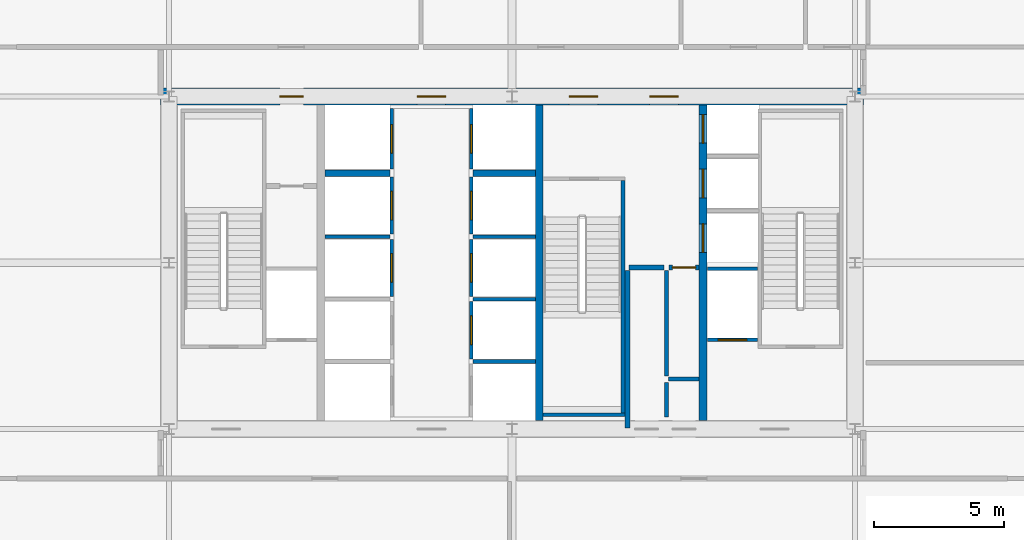
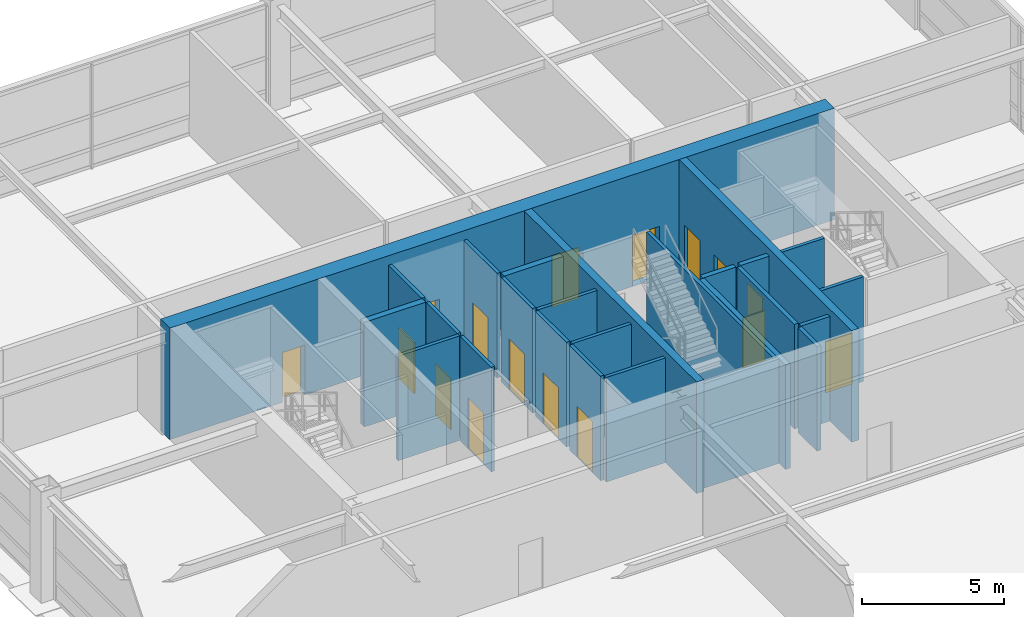
# One storey, part 31 of 34: 26 walls, 16 doors, 16 openings.
"""IFC4 building model written with IfcOpenShell, lengths in metres."""

from ifc_helpers import new_model, si_unit, direction, frame, frame_2d, origin, place, context, subcontext, project, spatial, rectangle, extrude, source, transform, mapped, material, layer, layer_set, type_object, element, fill, save


model = new_model("IFC4")

# Units and contexts
model_context = context("Model", 3, precision=1e-05, world=origin(), true_north=direction((0.0, 1.0)))
body_context = subcontext(model_context, "Body", "Model", "MODEL_VIEW")
ifc_project = project(units=[si_unit("LENGTHUNIT", "METRE"), si_unit("AREAUNIT", "SQUARE_METRE"), si_unit("VOLUMEUNIT", "CUBIC_METRE"), si_unit("PLANEANGLEUNIT", "RADIAN"), si_unit("MASSUNIT", "GRAM", prefix="KILO"), si_unit("THERMODYNAMICTEMPERATUREUNIT", "KELVIN"), si_unit("POWERUNIT", "WATT")], contexts=[model_context])

# Site, building, storey
site_placement = place(None, origin())
site = spatial("IfcSite", under=ifc_project, at=site_placement, CompositionType="ELEMENT")
building_placement = place(site_placement, origin())
building = spatial("IfcBuilding", under=site, at=building_placement, Name="Yuzanri Waterfront Tower", CompositionType="ELEMENT")
storey_placement = place(building_placement, frame((0.0, 0.0, 166.800048828125)))
storey = spatial("IfcBuildingStorey", under=building, at=storey_placement, Name="L44", CompositionType="ELEMENT", Elevation=166.800048828125)

# Wall, openings, doors
ifc_material_1 = material(Name="Concrete C50", Category="concrete")
ifc_layer_1 = layer(ifc_material_1, 0.300048828125)
ifc_layer_set_1 = layer_set([ifc_layer_1], Name="Concrete C50")
wall_type_1 = type_object("IfcWallType", Name="Concrete C50 Internal Core Shaft Structural Wall 300", PredefinedType="SOLIDWALL", material=ifc_layer_set_1)
wall_1_placement = place(storey_placement, frame((44.35009765625, 19.72509765625, 0.0), z_axis=(0.0, 0.0, 1.0), x_axis=(0.0, 1.0, 0.0)))
wall_1 = element("IfcWall", 1, at=wall_1_placement, inside=storey, type_object=wall_type_1, Name="L44 Core Internal Structural Web Wall 3", PredefinedType="SOLIDWALL", context=body_context, shape_type="SweptSolid", body=[
    extrude(rectangle(XDim=12.14990234375, YDim=0.300048828125, at=frame_2d((6.074951171875, 0.0))), origin(), (0.0, 0.0, 1.0), 4.800048828125),
])
opening_1_placement = place(wall_1_placement, frame((6.47509765625, 0.0, 0.0)))
opening_1 = element("IfcOpeningElement", 2, at=opening_1_placement, cuts=wall_1, Name="Opening LD-PL-09", PredefinedType="OPENING", context=body_context, shape_type="SweptSolid", body=[
    extrude(rectangle(XDim=1.10009765625, YDim=2.199951171875, at=frame_2d((0.550048828125, 1.10009765625))), frame((0.0, 0.1650390625, 0.0), z_axis=(0.0, -1.0, 0.0), x_axis=(1.0, 0.0, 0.0)), (0.0, 0.0, 1.0), 0.329833984375),
])
opening_2_placement = place(wall_1_placement, frame((8.574951171875, 0.0, 0.0)))
opening_2 = element("IfcOpeningElement", 3, at=opening_2_placement, cuts=wall_1, Name="Opening LD-PL-10", PredefinedType="OPENING", context=body_context, shape_type="SweptSolid", body=[
    extrude(rectangle(XDim=1.10009765625, YDim=2.199951171875, at=frame_2d((0.550048828125, 1.10009765625))), frame((0.0, 0.1650390625, 0.0), z_axis=(0.0, -1.0, 0.0), x_axis=(1.0, 0.0, 0.0)), (0.0, 0.0, 1.0), 0.329833984375),
])
opening_3_placement = place(wall_1_placement, frame((10.675048828125, 0.0, 0.0)))
opening_3 = element("IfcOpeningElement", 4, at=opening_3_placement, cuts=wall_1, Name="Opening LD-PL-11", PredefinedType="OPENING", context=body_context, shape_type="SweptSolid", body=[
    extrude(rectangle(XDim=1.10009765625, YDim=2.199951171875, at=frame_2d((0.550048828125, 1.10009765625))), frame((0.0, 0.1650390625, 0.0), z_axis=(0.0, -1.0, 0.0), x_axis=(1.0, 0.0, 0.0)), (0.0, 0.0, 1.0), 0.329833984375),
])
ifc_material_2 = material(Name="Brushed Bronze and Stainless Steel Cab", Category="steel")
door_type_1 = type_object("IfcDoorType", Name="Center-Parting Bronze Lift Landing Sliding Door 1100x2200", OperationType="NOTDEFINED", PredefinedType="DOOR", material=ifc_material_2)
shared_shape_1 = source(origin(), body_context, "Body", "SweptSolid", [
    extrude(rectangle(XDim=1.10009765625, YDim=2.199951171875, at=frame_2d((0.550048828125, 1.10009765625))), frame((0.0, 0.02490234375, 0.0), z_axis=(0.0, -1.0, 0.0), x_axis=(1.0, 0.0, 0.0)), (0.0, 0.0, 1.0), 0.050048828125),
])
door_1_placement = place(opening_1_placement, origin())
door_1 = element("IfcDoor", 5, at=door_1_placement, inside=storey, type_object=door_type_1, Name="L44 PL-09 Lift Landing Sliding Door", OperationType="SLIDING_TO_LEFT", OverallHeight=2.199951171875, OverallWidth=1.10009765625, PredefinedType="DOOR", context=body_context, shape_type="MappedRepresentation", body=[
    mapped(shared_shape_1, transform((0.0, 0.0, 0.0), scale=1.0)),
])
fill(opening_1, door_1)
door_2_placement = place(opening_2_placement, origin())
door_2 = element("IfcDoor", 6, at=door_2_placement, inside=storey, type_object=door_type_1, Name="L44 PL-10 Lift Landing Sliding Door", OperationType="SLIDING_TO_RIGHT", OverallHeight=2.199951171875, OverallWidth=1.10009765625, PredefinedType="DOOR", context=body_context, shape_type="MappedRepresentation", body=[
    mapped(shared_shape_1, transform((0.0, 0.0, 0.0), scale=1.0)),
])
fill(opening_2, door_2)
door_3_placement = place(opening_3_placement, origin())
door_3 = element("IfcDoor", 7, at=door_3_placement, inside=storey, type_object=door_type_1, Name="L44 PL-11 Lift Landing Sliding Door", OperationType="SLIDING_TO_LEFT", OverallHeight=2.199951171875, OverallWidth=1.10009765625, PredefinedType="DOOR", context=body_context, shape_type="MappedRepresentation", body=[
    mapped(shared_shape_1, transform((0.0, 0.0, 0.0), scale=1.0)),
])
fill(opening_3, door_3)

ifc_material_3 = material(Name="Concrete C50", Category="concrete")
ifc_layer_2 = layer(ifc_material_3, 0.64990234375)
ifc_layer_set_2 = layer_set([ifc_layer_2], Name="Concrete C50")
wall_type_2 = type_object("IfcWallType", Name="Concrete C50 Mid Zone Core Shear Wall 650", PredefinedType="SHEAR", material=ifc_layer_set_2)
wall_2_placement = place(storey_placement, frame((23.47509765625, 32.199951171875, 0.0), z_axis=(0.0, 0.0, 1.0), x_axis=(1.0, 0.0, 0.0)))
wall_2 = element("IfcWall", 8, at=wall_2_placement, inside=storey, type_object=wall_type_2, Name="L44 Core North Shear Wall", PredefinedType="SHEAR", context=body_context, shape_type="SweptSolid", body=[
    extrude(rectangle(XDim=27.0498046875, YDim=0.64990234375, at=frame_2d((13.52490234375, 0.0))), origin(), (0.0, 0.0, 1.0), 4.800048828125),
])
opening_4_placement = place(wall_2_placement, frame((4.594970703125, 0.0, 0.0)))
opening_4 = element("IfcOpeningElement", 9, at=opening_4_placement, cuts=wall_2, Name="Opening FD-0900", PredefinedType="OPENING", context=body_context, shape_type="SweptSolid", body=[
    extrude(rectangle(XDim=0.89990234375, YDim=2.14990234375, at=frame_2d((0.449951171875, 1.074951171875))), frame((0.0, 0.33984375, 0.0), z_axis=(0.0, -1.0, 0.0), x_axis=(1.0, 0.0, 0.0)), (0.0, 0.0, 1.0), 0.6796875),
])
opening_5_placement = place(wall_2_placement, frame((9.875, 0.0, 0.0)))
opening_5 = element("IfcOpeningElement", 10, at=opening_5_placement, cuts=wall_2, Name="Opening FD-1100", PredefinedType="OPENING", context=body_context, shape_type="SweptSolid", body=[
    extrude(rectangle(XDim=1.10009765625, YDim=2.199951171875, at=frame_2d((0.550048828125, 1.10009765625))), frame((0.0, 0.33984375, 0.0), z_axis=(0.0, -1.0, 0.0), x_axis=(1.0, 0.0, 0.0)), (0.0, 0.0, 1.0), 0.6796875),
])
opening_6_placement = place(wall_2_placement, frame((15.72509765625, 0.0, 0.0)))
opening_6 = element("IfcOpeningElement", 11, at=opening_6_placement, cuts=wall_2, Name="Opening FD-1100", PredefinedType="OPENING", context=body_context, shape_type="SweptSolid", body=[
    extrude(rectangle(XDim=1.10009765625, YDim=2.199951171875, at=frame_2d((0.550048828125, 1.10009765625))), frame((0.0, 0.33984375, 0.0), z_axis=(0.0, -1.0, 0.0), x_axis=(1.0, 0.0, 0.0)), (0.0, 0.0, 1.0), 0.6796875),
])
opening_7_placement = place(wall_2_placement, frame((18.824951171875, 0.0, 0.0)))
opening_7 = element("IfcOpeningElement", 12, at=opening_7_placement, cuts=wall_2, Name="Opening FD-1100", PredefinedType="OPENING", context=body_context, shape_type="SweptSolid", body=[
    extrude(rectangle(XDim=1.10009765625, YDim=2.199951171875, at=frame_2d((0.550048828125, 1.10009765625))), frame((0.0, 0.33984375, 0.0), z_axis=(0.0, -1.0, 0.0), x_axis=(1.0, 0.0, 0.0)), (0.0, 0.0, 1.0), 0.6796875),
])
ifc_material_4 = material(Name="Painted Galvanized Fire Steel", Category="steel")
door_type_2 = type_object("IfcDoorType", Name="Smoke-Proof Stair and Lobby Fire Door 1100x2200", OperationType="NOTDEFINED", PredefinedType="DOOR", material=ifc_material_4)
shared_shape_2 = source(origin(), body_context, "Body", "SweptSolid", [
    extrude(rectangle(XDim=1.10009765625, YDim=2.199951171875, at=frame_2d((0.550048828125, 1.10009765625))), frame((0.0, 0.02490234375, 0.0), z_axis=(0.0, -1.0, 0.0), x_axis=(1.0, 0.0, 0.0)), (0.0, 0.0, 1.0), 0.050048828125),
])
door_4_placement = place(opening_5_placement, origin())
door_4 = element("IfcDoor", 13, at=door_4_placement, inside=storey, type_object=door_type_2, Name="L44 Central Lift Lobby North Door", OperationType="SINGLE_SWING_LEFT", OverallHeight=2.199951171875, OverallWidth=1.10009765625, PredefinedType="DOOR", context=body_context, shape_type="MappedRepresentation", body=[
    mapped(shared_shape_2, transform((0.0, 0.0, 0.0), scale=1.0)),
])
fill(opening_5, door_4)
door_5_placement = place(opening_6_placement, origin())
door_5 = element("IfcDoor", 14, at=door_5_placement, inside=storey, type_object=door_type_2, Name="L44 North Stair Lobby Door", OperationType="SINGLE_SWING_RIGHT", OverallHeight=2.199951171875, OverallWidth=1.10009765625, PredefinedType="DOOR", context=body_context, shape_type="MappedRepresentation", body=[
    mapped(shared_shape_2, transform((0.0, 0.0, 0.0), scale=1.0)),
])
fill(opening_6, door_5)
door_6_placement = place(opening_7_placement, origin())
door_6 = element("IfcDoor", 15, at=door_6_placement, inside=storey, type_object=door_type_2, Name="L44 High-Rise Lift Lobby North Door", OperationType="SINGLE_SWING_LEFT", OverallHeight=2.199951171875, OverallWidth=1.10009765625, PredefinedType="DOOR", context=body_context, shape_type="MappedRepresentation", body=[
    mapped(shared_shape_2, transform((0.0, 0.0, 0.0), scale=1.0)),
])
fill(opening_7, door_6)
ifc_material_5 = material(Name="Painted Galvanized Fire Steel", Category="steel")
door_type_3 = type_object("IfcDoorType", Name="Riser and Service Room Fire Door 900x2150", OperationType="NOTDEFINED", PredefinedType="DOOR", material=ifc_material_5)
shared_shape_3 = source(origin(), body_context, "Body", "SweptSolid", [
    extrude(rectangle(XDim=0.89990234375, YDim=2.14990234375, at=frame_2d((0.449951171875, 1.074951171875))), frame((0.0, 0.02490234375, 0.0), z_axis=(0.0, -1.0, 0.0), x_axis=(1.0, 0.0, 0.0)), (0.0, 0.0, 1.0), 0.050048828125),
])
door_7_placement = place(opening_4_placement, origin())
door_7 = element("IfcDoor", 16, at=door_7_placement, inside=storey, type_object=door_type_3, Name="L44 Telecom Riser Door", OperationType="SINGLE_SWING_RIGHT", OverallHeight=2.14990234375, OverallWidth=0.89990234375, PredefinedType="DOOR", context=body_context, shape_type="MappedRepresentation", body=[
    mapped(shared_shape_3, transform((0.0, 0.0, 0.0), scale=1.0)),
])
fill(opening_4, door_7)

# Wall, opening, door
ifc_material_6 = material(Name="Concrete C40", Category="concrete")
ifc_layer_3 = layer(ifc_material_6, 0.139892578125)
ifc_layer_set_3 = layer_set([ifc_layer_3], Name="Concrete C40")
wall_type_3 = type_object("IfcWallType", Name="Core Stair Liner and Hoistway Shaft Wall 140", PredefinedType="SOLIDWALL", material=ifc_layer_set_3)
wall_3_placement = place(storey_placement, frame((44.52001953125, 22.830078125, 0.0), z_axis=(0.0, 0.0, 1.0), x_axis=(1.0, 0.0, 0.0)))
wall_3 = element("IfcWall", 17, at=wall_3_placement, inside=storey, type_object=wall_type_3, Name="L44 Lift FL-02 Front Shaft Wall", PredefinedType="SOLIDWALL", context=body_context, shape_type="SweptSolid", body=[
    extrude(rectangle(XDim=1.919921875, YDim=0.139892578125, at=frame_2d((0.9599609375, 0.0))), origin(), (0.0, 0.0, 1.0), 4.5),
])
opening_8_placement = place(wall_3_placement, frame((0.409912109375, 0.0, 0.0)))
opening_8 = element("IfcOpeningElement", 18, at=opening_8_placement, cuts=wall_3, Name="Opening LD-FL-02", PredefinedType="OPENING", context=body_context, shape_type="SweptSolid", body=[
    extrude(rectangle(XDim=1.10009765625, YDim=2.199951171875, at=frame_2d((0.550048828125, 1.10009765625))), frame((0.0, 0.0849609375, 0.0), z_axis=(0.0, -1.0, 0.0), x_axis=(1.0, 0.0, 0.0)), (0.0, 0.0, 1.0), 0.169677734375),
])
door_8_placement = place(opening_8_placement, origin())
door_8 = element("IfcDoor", 19, at=door_8_placement, inside=storey, type_object=door_type_1, Name="L44 FL-02 Lift Landing Sliding Door", OperationType="SLIDING_TO_RIGHT", OverallHeight=2.199951171875, OverallWidth=1.10009765625, PredefinedType="DOOR", context=body_context, shape_type="MappedRepresentation", body=[
    mapped(shared_shape_1, transform((0.0, 0.0, 0.0), scale=1.0)),
])
fill(opening_8, door_8)

wall_4_placement = place(storey_placement, frame((32.3701171875, 24.5, 0.0), z_axis=(0.0, 0.0, 1.0), x_axis=(0.0, 1.0, 0.0)))
wall_4 = element("IfcWall", 20, at=wall_4_placement, inside=storey, type_object=wall_type_3, Name="L44 Lift PL-03 Front Shaft Wall", PredefinedType="SOLIDWALL", context=body_context, shape_type="SweptSolid", body=[
    extrude(rectangle(XDim=2.199951171875, YDim=0.139892578125, at=frame_2d((1.10009765625, 0.0))), origin(), (0.0, 0.0, 1.0), 4.5),
])
opening_9_placement = place(wall_4_placement, frame((0.550048828125, 0.0, 0.0)))
opening_9 = element("IfcOpeningElement", 21, at=opening_9_placement, cuts=wall_4, Name="Opening LD-PL-03", PredefinedType="OPENING", context=body_context, shape_type="SweptSolid", body=[
    extrude(rectangle(XDim=1.10009765625, YDim=2.199951171875, at=frame_2d((0.550048828125, 1.10009765625))), frame((0.0, 0.0849609375, 0.0), z_axis=(0.0, -1.0, 0.0), x_axis=(1.0, 0.0, 0.0)), (0.0, 0.0, 1.0), 0.169677734375),
])
door_9_placement = place(opening_9_placement, origin())
door_9 = element("IfcDoor", 22, at=door_9_placement, inside=storey, type_object=door_type_1, Name="L44 PL-03 Lift Landing Sliding Door", OperationType="SLIDING_TO_LEFT", OverallHeight=2.199951171875, OverallWidth=1.10009765625, PredefinedType="DOOR", context=body_context, shape_type="MappedRepresentation", body=[
    mapped(shared_shape_1, transform((0.0, 0.0, 0.0), scale=1.0)),
])
fill(opening_9, door_9)

wall_5_placement = place(storey_placement, frame((32.3701171875, 26.89990234375, 0.0), z_axis=(0.0, 0.0, 1.0), x_axis=(0.0, 1.0, 0.0)))
wall_5 = element("IfcWall", 23, at=wall_5_placement, inside=storey, type_object=wall_type_3, Name="L44 Lift PL-04 Front Shaft Wall", PredefinedType="SOLIDWALL", context=body_context, shape_type="SweptSolid", body=[
    extrude(rectangle(XDim=2.2001953125, YDim=0.139892578125, at=frame_2d((1.10009765625, 0.0))), origin(), (0.0, 0.0, 1.0), 4.5),
])
opening_10_placement = place(wall_5_placement, frame((0.550048828125, 0.0, 0.0)))
opening_10 = element("IfcOpeningElement", 24, at=opening_10_placement, cuts=wall_5, Name="Opening LD-PL-04", PredefinedType="OPENING", context=body_context, shape_type="SweptSolid", body=[
    extrude(rectangle(XDim=1.10009765625, YDim=2.199951171875, at=frame_2d((0.550048828125, 1.10009765625))), frame((0.0, 0.0849609375, 0.0), z_axis=(0.0, -1.0, 0.0), x_axis=(1.0, 0.0, 0.0)), (0.0, 0.0, 1.0), 0.169677734375),
])
door_10_placement = place(opening_10_placement, origin())
door_10 = element("IfcDoor", 25, at=door_10_placement, inside=storey, type_object=door_type_1, Name="L44 PL-04 Lift Landing Sliding Door", OperationType="SLIDING_TO_RIGHT", OverallHeight=2.199951171875, OverallWidth=1.10009765625, PredefinedType="DOOR", context=body_context, shape_type="MappedRepresentation", body=[
    mapped(shared_shape_1, transform((0.0, 0.0, 0.0), scale=1.0)),
])
fill(opening_10, door_10)

wall_6_placement = place(storey_placement, frame((32.3701171875, 29.39990234375, 0.0), z_axis=(0.0, 0.0, 1.0), x_axis=(0.0, 1.0, 0.0)))
wall_6 = element("IfcWall", 26, at=wall_6_placement, inside=storey, type_object=wall_type_3, Name="L44 Lift SL-01 Front Shaft Wall", PredefinedType="SOLIDWALL", context=body_context, shape_type="SweptSolid", body=[
    extrude(rectangle(XDim=2.340087890625, YDim=0.139892578125, at=frame_2d((1.169921875, 0.0))), origin(), (0.0, 0.0, 1.0), 4.5),
])
opening_11_placement = place(wall_6_placement, frame((0.6201171875, 0.0, 0.0)))
opening_11 = element("IfcOpeningElement", 27, at=opening_11_placement, cuts=wall_6, Name="Opening LD-SL-01", PredefinedType="OPENING", context=body_context, shape_type="SweptSolid", body=[
    extrude(rectangle(XDim=1.10009765625, YDim=2.199951171875, at=frame_2d((0.550048828125, 1.10009765625))), frame((0.0, 0.0849609375, 0.0), z_axis=(0.0, -1.0, 0.0), x_axis=(1.0, 0.0, 0.0)), (0.0, 0.0, 1.0), 0.169677734375),
])
door_11_placement = place(opening_11_placement, origin())
door_11 = element("IfcDoor", 28, at=door_11_placement, inside=storey, type_object=door_type_1, Name="L44 SL-01 Lift Landing Sliding Door", OperationType="SLIDING_TO_LEFT", OverallHeight=2.199951171875, OverallWidth=1.10009765625, PredefinedType="DOOR", context=body_context, shape_type="MappedRepresentation", body=[
    mapped(shared_shape_1, transform((0.0, 0.0, 0.0), scale=1.0)),
])
fill(opening_11, door_11)

wall_7_placement = place(storey_placement, frame((35.429931640625, 22.10009765625, 0.0), z_axis=(0.0, 0.0, 1.0), x_axis=(0.0, 1.0, 0.0)))
wall_7 = element("IfcWall", 29, at=wall_7_placement, inside=storey, type_object=wall_type_3, Name="L44 Lift PL-06 Front Shaft Wall", PredefinedType="SOLIDWALL", context=body_context, shape_type="SweptSolid", body=[
    extrude(rectangle(XDim=2.199951171875, YDim=0.139892578125, at=frame_2d((1.10009765625, 0.0))), origin(), (0.0, 0.0, 1.0), 4.5),
])
opening_12_placement = place(wall_7_placement, frame((0.550048828125, 0.0, 0.0)))
opening_12 = element("IfcOpeningElement", 30, at=opening_12_placement, cuts=wall_7, Name="Opening LD-PL-06", PredefinedType="OPENING", context=body_context, shape_type="SweptSolid", body=[
    extrude(rectangle(XDim=1.10009765625, YDim=2.199951171875, at=frame_2d((0.550048828125, 1.10009765625))), frame((0.0, 0.0849609375, 0.0), z_axis=(0.0, -1.0, 0.0), x_axis=(1.0, 0.0, 0.0)), (0.0, 0.0, 1.0), 0.169677734375),
])
door_12_placement = place(opening_12_placement, origin())
door_12 = element("IfcDoor", 31, at=door_12_placement, inside=storey, type_object=door_type_1, Name="L44 PL-06 Lift Landing Sliding Door", OperationType="SLIDING_TO_LEFT", OverallHeight=2.199951171875, OverallWidth=1.10009765625, PredefinedType="DOOR", context=body_context, shape_type="MappedRepresentation", body=[
    mapped(shared_shape_1, transform((0.0, 0.0, 0.0), scale=1.0)),
])
fill(opening_12, door_12)

wall_8_placement = place(storey_placement, frame((35.429931640625, 24.5, 0.0), z_axis=(0.0, 0.0, 1.0), x_axis=(0.0, 1.0, 0.0)))
wall_8 = element("IfcWall", 32, at=wall_8_placement, inside=storey, type_object=wall_type_3, Name="L44 Lift PL-07 Front Shaft Wall", PredefinedType="SOLIDWALL", context=body_context, shape_type="SweptSolid", body=[
    extrude(rectangle(XDim=2.199951171875, YDim=0.139892578125, at=frame_2d((1.10009765625, 0.0))), origin(), (0.0, 0.0, 1.0), 4.5),
])
opening_13_placement = place(wall_8_placement, frame((0.550048828125, 0.0, 0.0)))
opening_13 = element("IfcOpeningElement", 33, at=opening_13_placement, cuts=wall_8, Name="Opening LD-PL-07", PredefinedType="OPENING", context=body_context, shape_type="SweptSolid", body=[
    extrude(rectangle(XDim=1.10009765625, YDim=2.199951171875, at=frame_2d((0.550048828125, 1.10009765625))), frame((0.0, 0.0849609375, 0.0), z_axis=(0.0, -1.0, 0.0), x_axis=(1.0, 0.0, 0.0)), (0.0, 0.0, 1.0), 0.169677734375),
])
door_13_placement = place(opening_13_placement, origin())
door_13 = element("IfcDoor", 34, at=door_13_placement, inside=storey, type_object=door_type_1, Name="L44 PL-07 Lift Landing Sliding Door", OperationType="SLIDING_TO_RIGHT", OverallHeight=2.199951171875, OverallWidth=1.10009765625, PredefinedType="DOOR", context=body_context, shape_type="MappedRepresentation", body=[
    mapped(shared_shape_1, transform((0.0, 0.0, 0.0), scale=1.0)),
])
fill(opening_13, door_13)

wall_9_placement = place(storey_placement, frame((35.429931640625, 26.89990234375, 0.0), z_axis=(0.0, 0.0, 1.0), x_axis=(0.0, 1.0, 0.0)))
wall_9 = element("IfcWall", 35, at=wall_9_placement, inside=storey, type_object=wall_type_3, Name="L44 Lift PL-08 Front Shaft Wall", PredefinedType="SOLIDWALL", context=body_context, shape_type="SweptSolid", body=[
    extrude(rectangle(XDim=2.2001953125, YDim=0.139892578125, at=frame_2d((1.10009765625, 0.0))), origin(), (0.0, 0.0, 1.0), 4.5),
])
opening_14_placement = place(wall_9_placement, frame((0.550048828125, 0.0, 0.0)))
opening_14 = element("IfcOpeningElement", 36, at=opening_14_placement, cuts=wall_9, Name="Opening LD-PL-08", PredefinedType="OPENING", context=body_context, shape_type="SweptSolid", body=[
    extrude(rectangle(XDim=1.10009765625, YDim=2.199951171875, at=frame_2d((0.550048828125, 1.10009765625))), frame((0.0, 0.0849609375, 0.0), z_axis=(0.0, -1.0, 0.0), x_axis=(1.0, 0.0, 0.0)), (0.0, 0.0, 1.0), 0.169677734375),
])
door_14_placement = place(opening_14_placement, origin())
door_14 = element("IfcDoor", 37, at=door_14_placement, inside=storey, type_object=door_type_1, Name="L44 PL-08 Lift Landing Sliding Door", OperationType="SLIDING_TO_LEFT", OverallHeight=2.199951171875, OverallWidth=1.10009765625, PredefinedType="DOOR", context=body_context, shape_type="MappedRepresentation", body=[
    mapped(shared_shape_1, transform((0.0, 0.0, 0.0), scale=1.0)),
])
fill(opening_14, door_14)

wall_10_placement = place(storey_placement, frame((35.429931640625, 29.39990234375, 0.0), z_axis=(0.0, 0.0, 1.0), x_axis=(0.0, 1.0, 0.0)))
wall_10 = element("IfcWall", 38, at=wall_10_placement, inside=storey, type_object=wall_type_3, Name="L44 Lift SL-02 Front Shaft Wall", PredefinedType="SOLIDWALL", context=body_context, shape_type="SweptSolid", body=[
    extrude(rectangle(XDim=2.340087890625, YDim=0.139892578125, at=frame_2d((1.169921875, 0.0))), origin(), (0.0, 0.0, 1.0), 4.5),
])
opening_15_placement = place(wall_10_placement, frame((0.6201171875, 0.0, 0.0)))
opening_15 = element("IfcOpeningElement", 39, at=opening_15_placement, cuts=wall_10, Name="Opening LD-SL-02", PredefinedType="OPENING", context=body_context, shape_type="SweptSolid", body=[
    extrude(rectangle(XDim=1.10009765625, YDim=2.199951171875, at=frame_2d((0.550048828125, 1.10009765625))), frame((0.0, 0.0849609375, 0.0), z_axis=(0.0, -1.0, 0.0), x_axis=(1.0, 0.0, 0.0)), (0.0, 0.0, 1.0), 0.169677734375),
])
door_15_placement = place(opening_15_placement, origin())
door_15 = element("IfcDoor", 40, at=door_15_placement, inside=storey, type_object=door_type_1, Name="L44 SL-02 Lift Landing Sliding Door", OperationType="SLIDING_TO_RIGHT", OverallHeight=2.199951171875, OverallWidth=1.10009765625, PredefinedType="DOOR", context=body_context, shape_type="MappedRepresentation", body=[
    mapped(shared_shape_1, transform((0.0, 0.0, 0.0), scale=1.0)),
])
fill(opening_15, door_15)

ifc_material_7 = material(Name="Autoclaved Aerated Concrete Blockwork", Category="masonry")
ifc_layer_4 = layer(ifc_material_7, 0.199951171875)
ifc_layer_set_4 = layer_set([ifc_layer_4], Name="Autoclaved Aerated Concrete Blockwork")
wall_type_4 = type_object("IfcWallType", Name="Corridor and Unit Party Fire Wall 200", PredefinedType="PARTITIONING", material=ifc_layer_set_4)
wall_11_placement = place(storey_placement, frame((43.050048828125, 25.6201171875, 0.0), z_axis=(0.0, 0.0, 1.0), x_axis=(1.0, 0.0, 0.0)))
wall_11 = element("IfcWall", 41, at=wall_11_placement, inside=storey, type_object=wall_type_4, Name="L44 Partition CRW-L44-BOHH-2", PredefinedType="PARTITIONING", context=body_context, shape_type="SweptSolid", body=[
    extrude(rectangle(XDim=1.14990234375, YDim=0.199951171875, at=frame_2d((0.574951171875, 0.0))), origin(), (0.0, 0.0, 1.0), 4.5),
])
opening_16_placement = place(wall_11_placement, frame((0.1201171875, 0.0, 0.0)))
opening_16 = element("IfcOpeningElement", 42, at=opening_16_placement, cuts=wall_11, Name="Opening FD-0900", PredefinedType="OPENING", context=body_context, shape_type="SweptSolid", body=[
    extrude(rectangle(XDim=0.89990234375, YDim=2.14990234375, at=frame_2d((0.449951171875, 1.074951171875))), frame((0.0, 0.11474609375, 0.0), z_axis=(0.0, -1.0, 0.0), x_axis=(1.0, 0.0, 0.0)), (0.0, 0.0, 1.0), 0.229736328125),
])
door_16_placement = place(opening_16_placement, origin())
door_16 = element("IfcDoor", 43, at=door_16_placement, inside=storey, type_object=door_type_3, Name="L44 Linen Store Room", OperationType="SINGLE_SWING_LEFT", OverallHeight=2.14990234375, OverallWidth=0.89990234375, PredefinedType="DOOR", context=body_context, shape_type="MappedRepresentation", body=[
    mapped(shared_shape_3, transform((0.0, 0.0, 0.0), scale=1.0)),
])
fill(opening_16, door_16)

# Walls
shared_shape_4 = source(origin(), body_context, "Body", "SweptSolid", [
    extrude(rectangle(XDim=12.14990234375, YDim=0.300048828125, at=frame_2d((6.074951171875, 0.0))), origin(), (0.0, 0.0, 1.0), 4.800048828125),
])
wall_12_placement = place(storey_placement, frame((38.050048828125, 19.72509765625, 0.0), z_axis=(0.0, 0.0, 1.0), x_axis=(0.0, 1.0, 0.0)))
element("IfcWall", 44, at=wall_12_placement, inside=storey, type_object=wall_type_1, Name="L44 Core Internal Structural Web Wall 2", PredefinedType="SOLIDWALL", context=body_context, shape_type="MappedRepresentation", body=[
    mapped(shared_shape_4, transform((0.0, 0.0, 0.0), scale=1.0)),
])
shared_shape_5 = source(origin(), body_context, "Body", "SweptSolid", [
    extrude(rectangle(XDim=1.919921875, YDim=0.139892578125, at=frame_2d((0.9599609375, 0.0))), origin(), (0.0, 0.0, 1.0), 4.5),
])
wall_13_placement = place(storey_placement, frame((44.52001953125, 25.570068359375, 0.0), z_axis=(0.0, 0.0, 1.0), x_axis=(1.0, 0.0, 0.0)))
element("IfcWall", 45, at=wall_13_placement, inside=storey, type_object=wall_type_3, Name="L44 Lift FL-02 Back Shaft Wall", PredefinedType="SOLIDWALL", context=body_context, shape_type="MappedRepresentation", body=[
    mapped(shared_shape_5, transform((0.0, 0.0, 0.0), scale=1.0)),
])
shared_shape_6 = source(origin(), body_context, "Body", "SweptSolid", [
    extrude(rectangle(XDim=2.5, YDim=0.139892578125, at=frame_2d((1.25, 0.0))), origin(), (0.0, 0.0, 1.0), 4.5),
])
wall_14_placement = place(storey_placement, frame((29.800048828125, 26.800048828125, 0.0), z_axis=(0.0, 0.0, 1.0), x_axis=(1.0, 0.0, 0.0)))
element("IfcWall", 46, at=wall_14_placement, inside=storey, type_object=wall_type_3, Name="L44 Lift PL-03 Divider Wall", PredefinedType="SOLIDWALL", context=body_context, shape_type="MappedRepresentation", body=[
    mapped(shared_shape_6, transform((0.0, 0.0, 0.0), scale=1.0)),
])
ifc_material_8 = material(Name="Concrete C40", Category="concrete")
ifc_layer_5 = layer(ifc_material_8, 0.25)
ifc_layer_set_5 = layer_set([ifc_layer_5], Name="Concrete C40")
wall_type_5 = type_object("IfcWallType", Name="Smoke-Proof Stair and Lift Shaft Wall 250", PredefinedType="SOLIDWALL", material=ifc_layer_set_5)
shared_shape_7 = source(origin(), body_context, "Body", "SweptSolid", [
    extrude(rectangle(XDim=2.5, YDim=0.25, at=frame_2d((1.25, 0.0))), origin(), (0.0, 0.0, 1.0), 4.5),
])
wall_15_placement = place(storey_placement, frame((29.800048828125, 29.25, 0.0), z_axis=(0.0, 0.0, 1.0), x_axis=(1.0, 0.0, 0.0)))
element("IfcWall", 47, at=wall_15_placement, inside=storey, type_object=wall_type_5, Name="L44 Lift SL-01 South Shaft Wall", PredefinedType="SOLIDWALL", context=body_context, shape_type="MappedRepresentation", body=[
    mapped(shared_shape_7, transform((0.0, 0.0, 0.0), scale=1.0)),
])
shared_shape_8 = source(origin(), body_context, "Body", "SweptSolid", [
    extrude(rectangle(XDim=2.39990234375, YDim=0.139892578125, at=frame_2d((1.199951171875, 0.0))), origin(), (0.0, 0.0, 1.0), 4.5),
])
for number, where, z_axis, x_axis, name in (
    (48, (35.5, 22.0, 0.0), (0.0, 0.0, 1.0), (1.0, 0.0, 0.0), "L44 Lift PL-05 Divider Wall"),
    (49, (35.5, 24.39990234375, 0.0), (0.0, 0.0, 1.0), (1.0, 0.0, 0.0), "L44 Lift PL-06 Divider Wall"),
    (50, (35.5, 26.800048828125, 0.0), (0.0, 0.0, 1.0), (1.0, 0.0, 0.0), "L44 Lift PL-07 Divider Wall"),
):
    element("IfcWall", number, at=place(storey_placement, frame(where, z_axis=z_axis, x_axis=x_axis)), inside=storey, type_object=wall_type_3, Name=name, PredefinedType="SOLIDWALL", context=body_context, shape_type="MappedRepresentation", body=[
        mapped(shared_shape_8, transform((0.0, 0.0, 0.0), scale=1.0)),
    ])
shared_shape_9 = source(origin(), body_context, "Body", "SweptSolid", [
    extrude(rectangle(XDim=2.39990234375, YDim=0.25, at=frame_2d((1.199951171875, 0.0))), origin(), (0.0, 0.0, 1.0), 4.5),
])
wall_16_placement = place(storey_placement, frame((35.5, 29.25, 0.0), z_axis=(0.0, 0.0, 1.0), x_axis=(1.0, 0.0, 0.0)))
element("IfcWall", 51, at=wall_16_placement, inside=storey, type_object=wall_type_5, Name="L44 Lift SL-02 South Shaft Wall", PredefinedType="SOLIDWALL", context=body_context, shape_type="MappedRepresentation", body=[
    mapped(shared_shape_9, transform((0.0, 0.0, 0.0), scale=1.0)),
])
shared_shape_10 = source(origin(), body_context, "Body", "SweptSolid", [
    extrude(rectangle(XDim=3.14013671875, YDim=0.139892578125, at=frame_2d((1.570068359375, 0.0))), origin(), (0.0, 0.0, 1.0), 4.5),
])
wall_17_placement = place(storey_placement, frame((38.199951171875, 19.949951171875, 0.0), z_axis=(0.0, 0.0, 1.0), x_axis=(1.0, 0.0, 0.0)))
element("IfcWall", 52, at=wall_17_placement, inside=storey, type_object=wall_type_3, Name="L44 Stair ST-03 South Shaft Wall", PredefinedType="SOLIDWALL", context=body_context, shape_type="MappedRepresentation", body=[
    mapped(shared_shape_10, transform((0.0, 0.0, 0.0), scale=1.0)),
])
shared_shape_11 = source(origin(), body_context, "Body", "SweptSolid", [
    extrude(rectangle(XDim=8.93994140625, YDim=0.139892578125, at=frame_2d((4.469970703125, 0.0))), origin(), (0.0, 0.0, 1.0), 4.5),
])
wall_18_placement = place(storey_placement, frame((41.27001953125, 20.02001953125, 0.0), z_axis=(0.0, 0.0, 1.0), x_axis=(0.0, 1.0, 0.0)))
element("IfcWall", 53, at=wall_18_placement, inside=storey, type_object=wall_type_3, Name="L44 Stair ST-03 East Shaft Wall", PredefinedType="SOLIDWALL", context=body_context, shape_type="MappedRepresentation", body=[
    mapped(shared_shape_11, transform((0.0, 0.0, 0.0), scale=1.0)),
])
ifc_material_9 = material(Name="Gypsum Fireboard Acoustic Stud Wall", Category="gypsum")
ifc_layer_6 = layer(ifc_material_9, 0.159912109375)
ifc_layer_set_6 = layer_set([ifc_layer_6], Name="Gypsum Fireboard Acoustic Stud Wall")
wall_type_6 = type_object("IfcWallType", Name="Acoustic Suite Demising Partition 160", PredefinedType="PARTITIONING", material=ifc_layer_set_6)
shared_shape_12 = source(origin(), body_context, "Body", "SweptSolid", [
    extrude(rectangle(XDim=1.33984375, YDim=0.159912109375, at=frame_2d((0.669921875, 0.0))), origin(), (0.0, 0.0, 1.0), 4.5),
])
wall_19_placement = place(storey_placement, frame((42.949951171875, 19.860107421875, 0.0), z_axis=(0.0, 0.0, 1.0), x_axis=(0.0, 1.0, 0.0)))
element("IfcWall", 54, at=wall_19_placement, inside=storey, type_object=wall_type_6, Name="L44 East Wet Riser West Wall", PredefinedType="PARTITIONING", context=body_context, shape_type="MappedRepresentation", body=[
    mapped(shared_shape_12, transform((0.0, 0.0, 0.0), scale=1.0)),
])
shared_shape_13 = source(origin(), body_context, "Body", "SweptSolid", [
    extrude(rectangle(XDim=1.169921875, YDim=0.159912109375, at=frame_2d((0.5849609375, 0.0))), origin(), (0.0, 0.0, 1.0), 4.5),
])
wall_20_placement = place(storey_placement, frame((43.030029296875, 21.320068359375, 0.0), z_axis=(0.0, 0.0, 1.0), x_axis=(1.0, 0.0, 0.0)))
element("IfcWall", 55, at=wall_20_placement, inside=storey, type_object=wall_type_6, Name="L44 East Wet Riser North Wall", PredefinedType="PARTITIONING", context=body_context, shape_type="MappedRepresentation", body=[
    mapped(shared_shape_13, transform((0.0, 0.0, 0.0), scale=1.0)),
])
shared_shape_14 = source(origin(), body_context, "Body", "SweptSolid", [
    extrude(rectangle(XDim=6.06005859375, YDim=0.199951171875, at=frame_2d((3.030029296875, 0.0))), origin(), (0.0, 0.0, 1.0), 4.5),
])
wall_21_placement = place(storey_placement, frame((41.449951171875, 19.43994140625, 0.0), z_axis=(0.0, 0.0, 1.0), x_axis=(0.0, 1.0, 0.0)))
element("IfcWall", 56, at=wall_21_placement, inside=storey, type_object=wall_type_4, Name="L44 Core BOH West Wall 1", PredefinedType="PARTITIONING", context=body_context, shape_type="MappedRepresentation", body=[
    mapped(shared_shape_14, transform((0.0, 0.0, 0.0), scale=1.0)),
])
shared_shape_15 = source(origin(), body_context, "Body", "SweptSolid", [
    extrude(rectangle(XDim=1.35009765625, YDim=0.199951171875, at=frame_2d((0.675048828125, 0.0))), origin(), (0.0, 0.0, 1.0), 4.5),
])
wall_22_placement = place(storey_placement, frame((41.5, 25.6201171875, 0.0), z_axis=(0.0, 0.0, 1.0), x_axis=(1.0, 0.0, 0.0)))
element("IfcWall", 57, at=wall_22_placement, inside=storey, type_object=wall_type_4, Name="L44 Core BOH Split Wall 1", PredefinedType="PARTITIONING", context=body_context, shape_type="MappedRepresentation", body=[
    mapped(shared_shape_15, transform((0.0, 0.0, 0.0), scale=1.0)),
])
shared_shape_16 = source(origin(), body_context, "Body", "SweptSolid", [
    extrude(rectangle(XDim=4.06005859375, YDim=0.159912109375, at=frame_2d((2.030029296875, 0.0))), origin(), (0.0, 0.0, 1.0), 4.5),
])
wall_23_placement = place(storey_placement, frame((42.949951171875, 21.43994140625, 0.0), z_axis=(0.0, 0.0, 1.0), x_axis=(0.0, 1.0, 0.0)))
element("IfcWall", 58, at=wall_23_placement, inside=storey, type_object=wall_type_6, Name="L44 Core BOH Mid Wall 2", PredefinedType="PARTITIONING", context=body_context, shape_type="MappedRepresentation", body=[
    mapped(shared_shape_16, transform((0.0, 0.0, 0.0), scale=1.0)),
])

save(model, "model.ifc")
